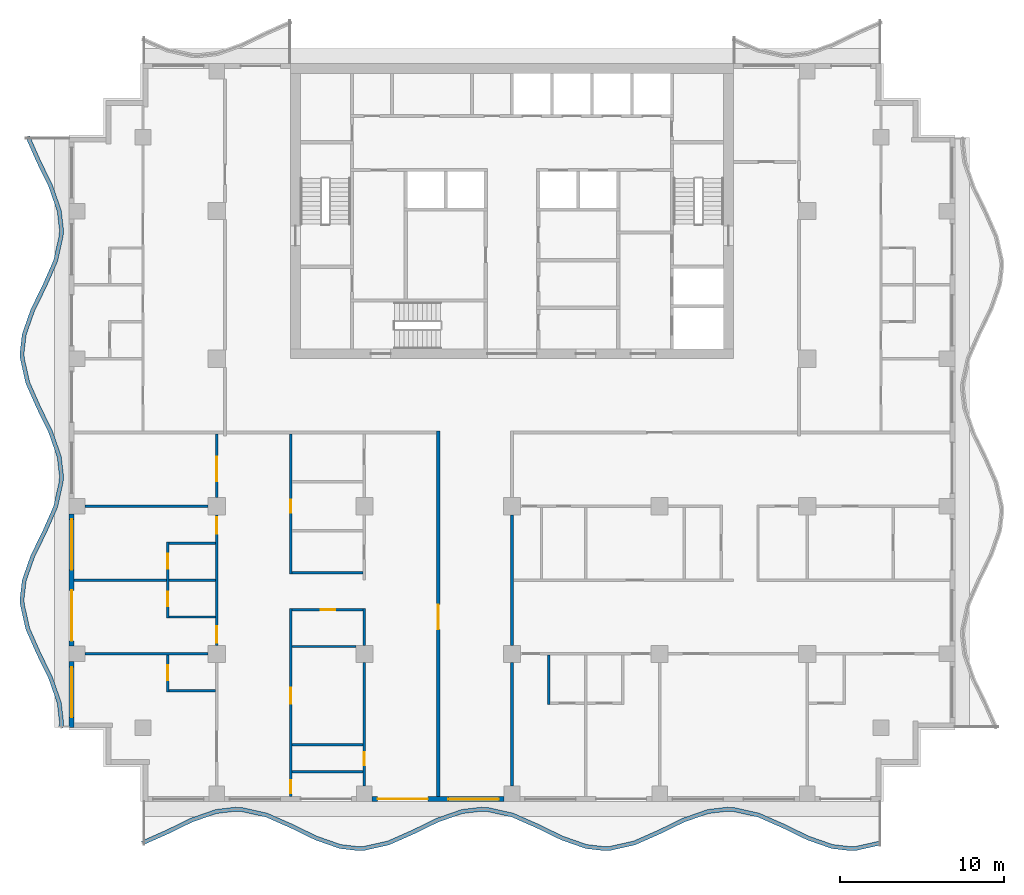
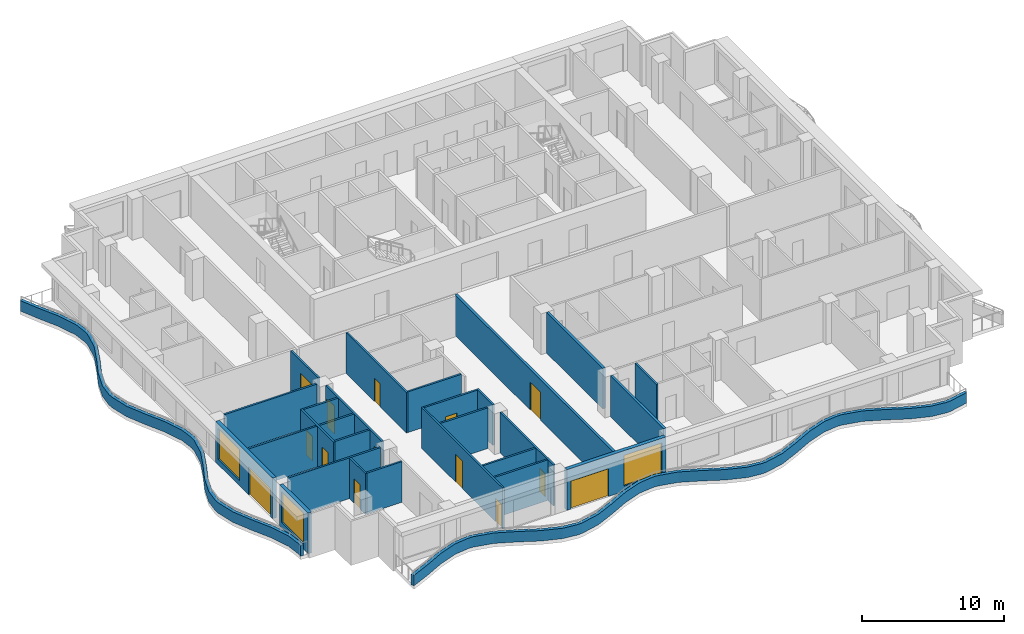
# One storey, part 2 of 11: 29 walls, 14 doors, 3 windows, 17 openings.
"""IFC4 building model written with IfcOpenShell, lengths in metres."""

import ifcopenshell
import ifcopenshell.guid

model = None  # the IFC model being written
_history = None  # IfcOwnerHistory: only IFC2X3 demands one
_inside = {}  # id of a spatial element -> (the spatial element, [elements in it])
_under = {}  # id of a project, library or spatial element -> (it, [spatial elements below it])
_declared = {}  # id of a project -> (the project, [libraries it declares])
_typed = {}  # id of a type object -> (the type object, [elements of that type])
_made_of = {}  # id of a material, layer set ... -> (it, [elements and type objects made of it])


def new_model(schema):
    """Start an empty IFC model of exactly this schema.

    Asked for "IFC4X3", IfcOpenShell would pick the latest addendum, in which some entities
    have other attributes; the version numbers below select the first issue.
    IFC2X3 requires an IfcOwnerHistory on every rooted entity: one is made here for all.
    """
    global model, _history
    if schema == "IFC4X3":
        model = ifcopenshell.file(schema_version=(4, 3, 0, 0))
    else:
        model = ifcopenshell.file(schema=schema)
    _inside.clear()
    _under.clear()
    _declared.clear()
    _typed.clear()
    _made_of.clear()
    _history = None
    if model.schema == "IFC2X3":
        org = make("IfcOrganization", Name="unknown")
        user = make(
            "IfcPersonAndOrganization",
            ThePerson=make("IfcPerson", FamilyName="unknown"),
            TheOrganization=org,
        )
        app = make(
            "IfcApplication",
            ApplicationDeveloper=org,
            Version="unknown",
            ApplicationFullName="unknown",
            ApplicationIdentifier="unknown",
        )
        _history = make(
            "IfcOwnerHistory",
            OwningUser=user,
            OwningApplication=app,
            ChangeAction="ADDED",
            CreationDate=0,
        )
    return model


def make(cls, **values):
    """One entity of the class cls with the attributes given. An attribute that is None is left unset."""
    return model.create_entity(
        cls, **{name: value for name, value in values.items() if value is not None}
    )


def rooted(cls, **values):
    """An entity with a GlobalId (a new one), such as an element, a storey or a relation."""
    return make(cls, GlobalId=ifcopenshell.guid.new(), OwnerHistory=_history, **values)


def si_unit(unit_type, name, prefix=None):
    """IfcSIUnit, for example si_unit("LENGTHUNIT", "METRE", prefix="MILLI")."""
    return make("IfcSIUnit", UnitType=unit_type, Prefix=prefix, Name=name)


def assignment(units):
    """IfcUnitAssignment: the units of a project."""
    return None if units is None else make("IfcUnitAssignment", Units=units)


def point(xyz):
    """IfcCartesianPoint."""
    return None if xyz is None else make("IfcCartesianPoint", Coordinates=xyz)


def direction(xyz):
    """IfcDirection."""
    return None if xyz is None else make("IfcDirection", DirectionRatios=xyz)


def frame(location, z_axis=None, x_axis=None):
    """IfcAxis2Placement3D, a coordinate frame: its origin and axes. An axis left out is left unset."""
    return make(
        "IfcAxis2Placement3D",
        Location=point(location),
        Axis=direction(z_axis),
        RefDirection=direction(x_axis),
    )


def frame_2d(location, x_axis=None):
    """IfcAxis2Placement2D, a coordinate frame in the plane: its origin and x axis."""
    return make(
        "IfcAxis2Placement2D", Location=point(location), RefDirection=direction(x_axis)
    )


def origin():
    """The frame at (0, 0, 0) with its axes left unset."""
    return frame((0.0, 0.0, 0.0))


def place(relative_to, where):
    """IfcLocalPlacement: puts the frame where relative to a parent placement (None: the world)."""
    return make(
        "IfcLocalPlacement", PlacementRelTo=relative_to, RelativePlacement=where
    )


def context(
    kind, dimensions, precision=None, world=None, true_north=None, identifier=None
):
    """IfcGeometricRepresentationContext, for example the 3D "Model" context."""
    return make(
        "IfcGeometricRepresentationContext",
        ContextIdentifier=identifier,
        ContextType=kind,
        CoordinateSpaceDimension=dimensions,
        Precision=precision,
        WorldCoordinateSystem=world,
        TrueNorth=true_north,
    )


def subcontext(parent, identifier, kind, view, scale=None):
    """IfcGeometricRepresentationSubContext, for example "Body" below "Model"."""
    return make(
        "IfcGeometricRepresentationSubContext",
        ContextIdentifier=identifier,
        ContextType=kind,
        ParentContext=parent,
        TargetScale=scale,
        TargetView=view,
    )


def project(units=None, contexts=None):
    """IfcProject with its units and contexts."""
    return rooted(
        "IfcProject",
        Name="project",
        RepresentationContexts=contexts,
        UnitsInContext=assignment(units),
    )


def spatial(cls, under=None, at=None, **own):
    """A site, building, storey or space (cls), placed at a placement, below another one or the project."""
    s = rooted(cls, ObjectPlacement=at, **own)
    if under is not None:
        _under.setdefault(under.id(), (under, []))[1].append(s)
    return s


def polyline(points):
    """IfcPolyline through the points."""
    return make("IfcPolyline", Points=[point(p) for p in points])


def profile(cls, at=None, kind="AREA", **sizes):
    """A parametric profile (cls). Its sizes go by their IFC names, for example OverallWidth=200.0."""
    return make(cls, ProfileType=kind, Position=at, **sizes)


def rectangle(**sizes):
    """IfcRectangleProfileDef."""
    return profile("IfcRectangleProfileDef", **sizes)


def outline(outer, holes=None, kind="AREA"):
    """IfcArbitraryClosedProfileDef: a profile drawn as a closed curve; with holes, ...WithVoids."""
    if holes is None:
        return make("IfcArbitraryClosedProfileDef", ProfileType=kind, OuterCurve=outer)
    return make(
        "IfcArbitraryProfileDefWithVoids",
        ProfileType=kind,
        OuterCurve=outer,
        InnerCurves=holes,
    )


def extrude(swept, where, along, depth):
    """IfcExtrudedAreaSolid: the profile swept, set in the frame where, extruded along a direction by depth."""
    return make(
        "IfcExtrudedAreaSolid",
        SweptArea=swept,
        Position=where,
        ExtrudedDirection=direction(along),
        Depth=depth,
    )


def shape(context_of_items, identifier, shape_type, items):
    """IfcShapeRepresentation: the items that make up one representation, for example the "Body"."""
    return make(
        "IfcShapeRepresentation",
        ContextOfItems=context_of_items,
        RepresentationIdentifier=identifier,
        RepresentationType=shape_type,
        Items=items,
    )


def material(Name=None, Category=None):
    """IfcMaterial."""
    return make("IfcMaterial", Name=Name, Category=Category)


def layer(
    of_material, thickness, ventilated=None, Name=None, Category=None, Priority=None
):
    """IfcMaterialLayer: one layer of a wall or slab, of a material (None: an air gap)."""
    return make(
        "IfcMaterialLayer",
        Material=of_material,
        LayerThickness=thickness,
        IsVentilated=ventilated,
        Name=Name,
        Category=Category,
        Priority=Priority,
    )


def layer_set(layers, Name=None):
    """IfcMaterialLayerSet."""
    return make("IfcMaterialLayerSet", MaterialLayers=layers, LayerSetName=Name)


def made_of(thing, what):
    """Note that an element or type object is made of a material, layer set ...; save() writes the relation."""
    if what is not None:
        _made_of.setdefault(what.id(), (what, []))[1].append(thing)
    return thing


def type_object(cls, material=None, **own):
    """A type object (cls), such as IfcWallType, which elements share."""
    return made_of(rooted(cls, **own), material)


def element(
    cls,
    number,
    at=None,
    inside=None,
    cuts=None,
    type_object=None,
    material=None,
    context=None,
    identifier="Body",
    shape_type=None,
    held_by="IfcProductDefinitionShape",
    body=None,
    shapes=None,
    **own,
):
    """One element of the class cls, such as IfcWall. Its Tag is "e" and its number.

    at: its placement. inside: the storey or other place that contains it. cuts: it is an
    opening in that element (IfcRelVoidsElement). A single representation is given by context,
    identifier, shape_type and body (its items); several are given by shapes. held_by: the class
    of the entity that holds the representations. save() writes the other relations.
    """
    e = rooted(cls, Tag="e%d" % number, ObjectPlacement=at, **own)
    if body is not None:
        shapes = [shape(context, identifier, shape_type, body)]
    if shapes is not None:
        e.Representation = make(held_by, Representations=shapes)
    if inside is not None:
        _inside.setdefault(inside.id(), (inside, []))[1].append(e)
    if cuts is not None:
        rooted(
            "IfcRelVoidsElement", RelatingBuildingElement=cuts, RelatedOpeningElement=e
        )
    if type_object is not None:
        _typed.setdefault(type_object.id(), (type_object, []))[1].append(e)
    return made_of(e, material)


def fill(opening, filler):
    """IfcRelFillsElement: the door or window that sits in an opening."""
    return rooted(
        "IfcRelFillsElement",
        RelatingOpeningElement=opening,
        RelatedBuildingElement=filler,
    )


def aggregate(whole, parts):
    """IfcRelAggregates: a whole, such as a stair, and the parts it consists of."""
    return rooted("IfcRelAggregates", RelatingObject=whole, RelatedObjects=parts)


def save(model, path):
    """Write the relations noted so far, then the file.

    IfcRelAggregates (storeys below a building ...), IfcRelContainedInSpatialStructure (elements
    in a storey), IfcRelDefinesByType, IfcRelAssociatesMaterial and IfcRelDeclares: one each for
    every whole, place, type object, material and project.
    """
    for whole, parts in _under.values():
        aggregate(whole, parts)
    for where, things in _inside.values():
        rooted(
            "IfcRelContainedInSpatialStructure",
            RelatedElements=things,
            RelatingStructure=where,
        )
    for kind, things in _typed.values():
        rooted("IfcRelDefinesByType", RelatedObjects=things, RelatingType=kind)
    for what, things in _made_of.values():
        rooted("IfcRelAssociatesMaterial", RelatedObjects=things, RelatingMaterial=what)
    for by, libraries in _declared.values():
        rooted("IfcRelDeclares", RelatingContext=by, RelatedDefinitions=libraries)
    model.write(path)


model = new_model("IFC4")

# Units and contexts
model_context = context("Model", 3, precision=1e-05, world=origin(), true_north=direction((0.0, 1.0)))
body_context = subcontext(model_context, "Body", "Model", "MODEL_VIEW")
ifc_project = project(units=[si_unit("LENGTHUNIT", "METRE"), si_unit("AREAUNIT", "SQUARE_METRE"), si_unit("VOLUMEUNIT", "CUBIC_METRE"), si_unit("PLANEANGLEUNIT", "RADIAN"), si_unit("MASSUNIT", "GRAM", prefix="KILO")], contexts=[model_context])

# Site, building, storey
site_placement = place(None, origin())
site = spatial("IfcSite", under=ifc_project, at=site_placement, CompositionType="ELEMENT")
building_placement = place(site_placement, origin())
building = spatial("IfcBuilding", under=site, at=building_placement, Name="Orbiselva Terraces", CompositionType="ELEMENT")
storey_placement = place(building_placement, frame((0.0, 0.0, 222.4)))
storey = spatial("IfcBuildingStorey", under=building, at=storey_placement, Name="L56", CompositionType="ELEMENT", Elevation=222.4)

# Walls
ifc_material_1 = material(Name="Concrete C40/50", Category="concrete")
ifc_layer_1 = layer(ifc_material_1, 0.25)
ifc_layer_set_1 = layer_set([ifc_layer_1], Name="Concrete C40/50")
wall_type_1 = type_object("IfcWallType", Name="ENV-PLANTER-250x900", PredefinedType="USERDEFINED", material=ifc_layer_set_1)
wall_1_placement = place(storey_placement, origin())
element("IfcWall", 1, at=wall_1_placement, inside=storey, type_object=wall_type_1, Name="Balcony planter L56 S", ObjectType="PLANTER", PredefinedType="USERDEFINED", context=body_context, shape_type="SweptSolid", body=[
    extrude(outline(polyline([(-22.5, -25.148528), (-21.0, -24.487721), (-19.5, -23.755211), (-18.0, -23.230792), (-16.875, -23.1), (-16.5, -23.114774), (-15.0, -23.451472), (-13.5, -24.112279), (-12.0, -24.844789), (-10.5, -25.369208), (-9.375, -25.5), (-9.0, -25.485226), (-7.5, -25.148528), (-6.0, -24.487721), (-4.5, -23.755211), (-3.0, -23.230792), (-1.875, -23.1), (-1.5, -23.114774), (0.0, -23.451472), (1.5, -24.112279), (3.0, -24.844789), (4.5, -25.369208), (5.625, -25.5), (6.0, -25.485226), (7.5, -25.148528), (9.0, -24.487721), (10.5, -23.755211), (12.0, -23.230792), (13.125, -23.1), (13.5, -23.114774), (15.0, -23.451472), (16.5, -24.112279), (18.0, -24.844789), (19.5, -25.369208), (20.625, -25.5), (21.0, -25.485226), (22.5, -25.148528), (22.445246, -24.904598), (20.967435, -25.236315), (20.634572, -25.249429), (19.556371, -25.124078), (18.09644, -24.613667), (16.605286, -23.885477), (15.078508, -23.212874), (13.532565, -22.865863), (13.115428, -22.849429), (11.943629, -22.985662), (10.40356, -23.524089), (8.894714, -24.260919), (7.421492, -24.90993), (5.967435, -25.236315), (5.634572, -25.249429), (4.556371, -25.124078), (3.09644, -24.613667), (1.605286, -23.885477), (0.078508, -23.212874), (-1.467435, -22.865863), (-1.884572, -22.849429), (-3.056371, -22.985662), (-4.59644, -23.524089), (-6.105286, -24.260919), (-7.578508, -24.90993), (-9.032565, -25.236315), (-9.365428, -25.249429), (-10.443629, -25.124078), (-11.90356, -24.613667), (-13.394714, -23.885477), (-14.921492, -23.212874), (-16.467435, -22.865863), (-16.884572, -22.849429), (-18.056371, -22.985662), (-19.59644, -23.524089), (-21.105286, -24.260919), (-22.600788, -24.919745), (-22.5, -25.148528)])), origin(), (0.0, 0.0, 1.0), 0.9),
])
wall_2_placement = place(storey_placement, origin())
element("IfcWall", 2, at=wall_2_placement, inside=storey, type_object=wall_type_1, Name="Balcony planter L56 W", ObjectType="PLANTER", PredefinedType="USERDEFINED", context=body_context, shape_type="SweptSolid", body=[
    extrude(outline(polyline([(-29.648528, 18.0), (-28.987721, 16.5), (-28.255211, 15.0), (-27.730792, 13.5), (-27.6, 12.375), (-27.614774, 12.0), (-27.951472, 10.5), (-28.612279, 9.0), (-29.344789, 7.5), (-29.869208, 6.0), (-30.0, 4.875), (-29.985226, 4.5), (-29.648528, 3.0), (-28.987721, 1.5), (-28.255211, 0.0), (-27.730792, -1.5), (-27.6, -2.625), (-27.614774, -3.0), (-27.951472, -4.5), (-28.612279, -6.0), (-29.344789, -7.5), (-29.869208, -9.0), (-30.0, -10.125), (-29.985226, -10.5), (-29.648528, -12.0), (-28.987721, -13.5), (-28.255211, -15.0), (-27.730792, -16.5), (-27.6, -17.625), (-27.614774, -18.0), (-27.364968, -18.009842), (-27.349429, -17.615428), (-27.485662, -16.443629), (-28.024089, -14.90356), (-28.760919, -13.394714), (-29.40993, -11.921492), (-29.736315, -10.467435), (-29.749429, -10.134572), (-29.624078, -9.056371), (-29.113667, -7.59644), (-28.385477, -6.105286), (-27.712874, -4.578508), (-27.365863, -3.032565), (-27.349429, -2.615428), (-27.485662, -1.443629), (-28.024089, 0.09644), (-28.760919, 1.605286), (-29.40993, 3.078508), (-29.736315, 4.532565), (-29.749429, 4.865428), (-29.624078, 5.943629), (-29.113667, 7.40356), (-28.385477, 8.894714), (-27.712874, 10.421492), (-27.365863, 11.967435), (-27.349429, 12.384572), (-27.485662, 13.556371), (-28.024089, 15.09644), (-28.760919, 16.605286), (-29.419745, 18.100788), (-29.648528, 18.0)])), origin(), (0.0, 0.0, 1.0), 0.9),
])

# Wall, openings, door, window
ifc_material_2 = material(Name="Terracotta cladding on masonry backing", Category="masonry")
ifc_layer_2 = layer(ifc_material_2, 0.3)
ifc_layer_set_2 = layer_set([ifc_layer_2], Name="Terracotta cladding on masonry backing")
wall_type_2 = type_object("IfcWallType", Name="ENV-WALL-TERRACOTTA-300", PredefinedType="SOLIDWALL", material=ifc_layer_set_2)
wall_3_placement = place(storey_placement, frame((-0.475, -22.35, 0.0), z_axis=(0.0, 0.0, 1.0), x_axis=(-1.0, 0.0, 0.0)))
wall_3 = element("IfcWall", 3, at=wall_3_placement, inside=storey, type_object=wall_type_2, Name="Facade wall L56 S", PredefinedType="SOLIDWALL", context=body_context, shape_type="SweptSolid", body=[
    extrude(rectangle(XDim=8.05, YDim=0.3, at=frame_2d((4.025, 0.0))), origin(), (0.0, 0.0, 1.0), 3.5),
])
opening_1_placement = place(wall_3_placement, frame((4.65, 0.0, 0.0)))
opening_1 = element("IfcOpeningElement", 4, at=opening_1_placement, cuts=wall_3, Name="Opening Z4-D-E02", PredefinedType="OPENING", context=body_context, shape_type="SweptSolid", body=[
    extrude(rectangle(XDim=3.075, YDim=2.4, at=frame_2d((1.5375, 1.2))), frame((0.0, 0.16, 0.0), z_axis=(0.0, -1.0, 0.0), x_axis=(1.0, 0.0, 0.0)), (0.0, 0.0, 1.0), 0.32),
])
opening_2_placement = place(wall_3_placement, frame((0.325, 0.0, 0.45)))
opening_2 = element("IfcOpeningElement", 5, at=opening_2_placement, cuts=wall_3, Name="Opening WN15", PredefinedType="OPENING", context=body_context, shape_type="SweptSolid", body=[
    extrude(rectangle(XDim=3.075, YDim=2.65, at=frame_2d((1.5375, 1.325))), frame((0.0, 0.16, 0.0), z_axis=(0.0, -1.0, 0.0), x_axis=(1.0, 0.0, 0.0)), (0.0, 0.0, 1.0), 0.32),
])
ifc_material_3 = material(Name="Clear low-e glazing in aluminium frame", Category="aluminium")
door_type_1 = type_object("IfcDoorType", Name="BALCONY DOOR 3075 X 2400", OperationType="DOUBLE_DOOR_SLIDING", PredefinedType="DOOR", material=ifc_material_3)
door_1_placement = place(opening_1_placement, origin())
door_1 = element("IfcDoor", 6, at=door_1_placement, inside=storey, type_object=door_type_1, Name="Z4-D-E02", OperationType="SINGLE_SWING_LEFT", OverallHeight=2.4, OverallWidth=3.075, PredefinedType="DOOR", context=body_context, shape_type="SweptSolid", body=[
    extrude(rectangle(XDim=3.075, YDim=2.4, at=frame_2d((1.5375, 1.2))), frame((0.0, 0.025, 0.0), z_axis=(0.0, -1.0, 0.0), x_axis=(1.0, 0.0, 0.0)), (0.0, 0.0, 1.0), 0.05),
])
fill(opening_1, door_1)
window_type = type_object("IfcWindowType", Name="WINDOW 3075 X 2650 S450", PartitioningType="TRIPLE_PANEL_VERTICAL", PredefinedType="WINDOW", material=ifc_material_3)
window_1_placement = place(opening_2_placement, origin())
window_1 = element("IfcWindow", 7, at=window_1_placement, inside=storey, type_object=window_type, Name="Window L56 S", OverallHeight=2.65, OverallWidth=3.075, PartitioningType="SINGLE_PANEL", PredefinedType="WINDOW", context=body_context, shape_type="SweptSolid", body=[
    extrude(rectangle(XDim=3.075, YDim=2.65, at=frame_2d((1.5375, 1.325))), frame((0.0, 0.03, 0.0), z_axis=(0.0, -1.0, 0.0), x_axis=(1.0, 0.0, 0.0)), (0.0, 0.0, 1.0), 0.06),
])
fill(opening_2, window_1)

wall_4_placement = place(storey_placement, frame((-26.85, -13.025, 0.0), z_axis=(0.0, 0.0, 1.0), x_axis=(0.0, 1.0, 0.0)))
wall_4 = element("IfcWall", 8, at=wall_4_placement, inside=storey, type_object=wall_type_2, Name="Facade wall L56 W", PredefinedType="SOLIDWALL", context=body_context, shape_type="SweptSolid", body=[
    extrude(rectangle(XDim=8.05, YDim=0.3, at=frame_2d((4.025, 0.0))), origin(), (0.0, 0.0, 1.0), 3.5),
])
opening_3_placement = place(wall_4_placement, frame((4.65, 0.0, 0.45)))
opening_3 = element("IfcOpeningElement", 9, at=opening_3_placement, cuts=wall_4, Name="Opening WN15", PredefinedType="OPENING", context=body_context, shape_type="SweptSolid", body=[
    extrude(rectangle(XDim=3.075, YDim=2.65, at=frame_2d((1.5375, 1.325))), frame((0.0, 0.16, 0.0), z_axis=(0.0, -1.0, 0.0), x_axis=(1.0, 0.0, 0.0)), (0.0, 0.0, 1.0), 0.32),
])
opening_4_placement = place(wall_4_placement, frame((0.325, 0.0, 0.0)))
opening_4 = element("IfcOpeningElement", 10, at=opening_4_placement, cuts=wall_4, Name="Opening Z4-D-E12", PredefinedType="OPENING", context=body_context, shape_type="SweptSolid", body=[
    extrude(rectangle(XDim=3.075, YDim=2.4, at=frame_2d((1.5375, 1.2))), frame((0.0, 0.16, 0.0), z_axis=(0.0, -1.0, 0.0), x_axis=(1.0, 0.0, 0.0)), (0.0, 0.0, 1.0), 0.32),
])
door_2_placement = place(opening_4_placement, origin())
door_2 = element("IfcDoor", 11, at=door_2_placement, inside=storey, type_object=door_type_1, Name="Z4-D-E12", OperationType="SINGLE_SWING_LEFT", OverallHeight=2.4, OverallWidth=3.075, PredefinedType="DOOR", context=body_context, shape_type="SweptSolid", body=[
    extrude(rectangle(XDim=3.075, YDim=2.4, at=frame_2d((1.5375, 1.2))), frame((0.0, 0.025, 0.0), z_axis=(0.0, -1.0, 0.0), x_axis=(1.0, 0.0, 0.0)), (0.0, 0.0, 1.0), 0.05),
])
fill(opening_4, door_2)
window_2_placement = place(opening_3_placement, origin())
window_2 = element("IfcWindow", 12, at=window_2_placement, inside=storey, type_object=window_type, Name="Window L56 W", OverallHeight=2.65, OverallWidth=3.075, PartitioningType="SINGLE_PANEL", PredefinedType="WINDOW", context=body_context, shape_type="SweptSolid", body=[
    extrude(rectangle(XDim=3.075, YDim=2.65, at=frame_2d((1.5375, 1.325))), frame((0.0, 0.03, 0.0), z_axis=(0.0, -1.0, 0.0), x_axis=(1.0, 0.0, 0.0)), (0.0, 0.0, 1.0), 0.06),
])
fill(opening_3, window_2)

# Wall, opening, window
wall_5_placement = place(storey_placement, frame((-26.85, -18.0, 0.0), z_axis=(0.0, 0.0, 1.0), x_axis=(0.0, 1.0, 0.0)))
wall_5 = element("IfcWall", 13, at=wall_5_placement, inside=storey, type_object=wall_type_2, Name="Facade wall L56 W", PredefinedType="SOLIDWALL", context=body_context, shape_type="SweptSolid", body=[
    extrude(rectangle(XDim=4.025, YDim=0.3, at=frame_2d((2.0125, 0.0))), origin(), (0.0, 0.0, 1.0), 3.5),
])
opening_5_placement = place(wall_5_placement, frame((0.625, 0.0, 0.45)))
opening_5 = element("IfcOpeningElement", 14, at=opening_5_placement, cuts=wall_5, Name="Opening WN15", PredefinedType="OPENING", context=body_context, shape_type="SweptSolid", body=[
    extrude(rectangle(XDim=3.075, YDim=2.65, at=frame_2d((1.5375, 1.325))), frame((0.0, 0.16, 0.0), z_axis=(0.0, -1.0, 0.0), x_axis=(1.0, 0.0, 0.0)), (0.0, 0.0, 1.0), 0.32),
])
window_3_placement = place(opening_5_placement, origin())
window_3 = element("IfcWindow", 15, at=window_3_placement, inside=storey, type_object=window_type, Name="Window L56 W", OverallHeight=2.65, OverallWidth=3.075, PartitioningType="SINGLE_PANEL", PredefinedType="WINDOW", context=body_context, shape_type="SweptSolid", body=[
    extrude(rectangle(XDim=3.075, YDim=2.65, at=frame_2d((1.5375, 1.325))), frame((0.0, 0.03, 0.0), z_axis=(0.0, -1.0, 0.0), x_axis=(1.0, 0.0, 0.0)), (0.0, 0.0, 1.0), 0.06),
])
fill(opening_5, window_3)

# Wall, opening, door
ifc_material_4 = material(Name="Plasterboard on steel stud partition", Category="steel")
ifc_layer_3 = layer(ifc_material_4, 0.2)
ifc_layer_set_3 = layer_set([ifc_layer_3], Name="Plasterboard on steel stud partition")
wall_type_3 = type_object("IfcWallType", Name="UNIT-ENTRANCE-WALL-200", PredefinedType="PARTITIONING", material=ifc_layer_set_3)
wall_6_placement = place(storey_placement, frame((-4.5, -22.2, 0.0), z_axis=(0.0, 0.0, 1.0), x_axis=(0.0, 1.0, 0.0)))
wall_6 = element("IfcWall", 16, at=wall_6_placement, inside=storey, type_object=wall_type_3, Name="PARTITION L56-059", PredefinedType="PARTITIONING", context=body_context, shape_type="SweptSolid", body=[
    extrude(rectangle(XDim=22.3, YDim=0.2, at=frame_2d((11.15, 0.0))), origin(), (0.0, 0.0, 1.0), 3.5),
])
opening_6_placement = place(wall_6_placement, frame((10.2, 0.0, 0.0)))
opening_6 = element("IfcOpeningElement", 17, at=opening_6_placement, cuts=wall_6, Name="Opening Z4-D-14", PredefinedType="OPENING", context=body_context, shape_type="SweptSolid", body=[
    extrude(rectangle(XDim=1.5, YDim=2.4, at=frame_2d((0.75, 1.2))), frame((0.0, 0.11, 0.0), z_axis=(0.0, -1.0, 0.0), x_axis=(1.0, 0.0, 0.0)), (0.0, 0.0, 1.0), 0.22),
])
ifc_material_5 = material(Name="Painted timber door leaf", Category="wood")
door_type_2 = type_object("IfcDoorType", Name="ENTRANCE DOUBLE DOOR 1500", OperationType="NOTDEFINED", PredefinedType="DOOR", material=ifc_material_5)
door_3_placement = place(opening_6_placement, origin())
door_3 = element("IfcDoor", 18, at=door_3_placement, inside=storey, type_object=door_type_2, Name="Z4-D-14", OperationType="DOUBLE_DOOR_SINGLE_SWING", OverallHeight=2.4, OverallWidth=1.5, PredefinedType="DOOR", context=body_context, shape_type="SweptSolid", body=[
    extrude(rectangle(XDim=1.5, YDim=2.4, at=frame_2d((0.75, 1.2))), frame((0.0, 0.025, 0.0), z_axis=(0.0, -1.0, 0.0), x_axis=(1.0, 0.0, 0.0)), (0.0, 0.0, 1.0), 0.05),
])
fill(opening_6, door_3)

# Walls
wall_7_placement = place(storey_placement, frame((0.0, -21.55, 0.0), z_axis=(0.0, 0.0, 1.0), x_axis=(0.0, 1.0, 0.0)))
element("IfcWall", 19, at=wall_7_placement, inside=storey, type_object=wall_type_3, Name="PARTITION L56-060", PredefinedType="PARTITIONING", context=body_context, shape_type="SweptSolid", body=[
    extrude(rectangle(XDim=7.525, YDim=0.2, at=frame_2d((3.7625, 0.0))), origin(), (0.0, 0.0, 1.0), 3.5),
])
wall_8_placement = place(storey_placement, frame((0.0, -12.975, 0.0), z_axis=(0.0, 0.0, 1.0), x_axis=(0.0, 1.0, 0.0)))
element("IfcWall", 20, at=wall_8_placement, inside=storey, type_object=wall_type_3, Name="PARTITION L56-061", PredefinedType="PARTITIONING", context=body_context, shape_type="SweptSolid", body=[
    extrude(rectangle(XDim=7.95, YDim=0.2, at=frame_2d((3.975, 0.0))), origin(), (0.0, 0.0, 1.0), 3.5),
])
ifc_layer_4 = layer(ifc_material_4, 0.15)
ifc_layer_set_4 = layer_set([ifc_layer_4], Name="Plasterboard on steel stud partition")
wall_type_4 = type_object("IfcWallType", Name="UNIT-PARTITION-150", PredefinedType="PARTITIONING", material=ifc_layer_set_4)
for number, where, z_axis, x_axis, name in (
    (21, (-13.425, -20.7, 0.0), (0.0, 0.0, 1.0), (1.0, 0.0, 0.0), "PARTITION L56-001"),
    (22, (-13.425, -19.05, 0.0), (0.0, 0.0, 1.0), (1.0, 0.0, 0.0), "PARTITION L56-002"),
):
    element("IfcWall", number, at=place(storey_placement, frame(where, z_axis=z_axis, x_axis=x_axis)), inside=storey, type_object=wall_type_4, Name=name, PredefinedType="PARTITIONING", context=body_context, shape_type="SweptSolid", body=[
        extrude(rectangle(XDim=4.35, YDim=0.15, at=frame_2d((2.175, 0.0))), origin(), (0.0, 0.0, 1.0), 3.5),
    ])
wall_9_placement = place(storey_placement, frame((-20.925, -15.75, 0.0), z_axis=(0.0, 0.0, 1.0), x_axis=(1.0, 0.0, 0.0)))
element("IfcWall", 23, at=wall_9_placement, inside=storey, type_object=wall_type_4, Name="PARTITION L56-006", PredefinedType="PARTITIONING", context=body_context, shape_type="SweptSolid", body=[
    extrude(rectangle(XDim=2.85, YDim=0.15, at=frame_2d((1.425, 0.0))), origin(), (0.0, 0.0, 1.0), 3.5),
])
wall_10_placement = place(storey_placement, frame((-26.05, -13.5, 0.0), z_axis=(0.0, 0.0, 1.0), x_axis=(1.0, 0.0, 0.0)))
element("IfcWall", 24, at=wall_10_placement, inside=storey, type_object=wall_type_4, Name="PARTITION L56-007", PredefinedType="PARTITIONING", context=body_context, shape_type="SweptSolid", body=[
    extrude(rectangle(XDim=7.525, YDim=0.15, at=frame_2d((3.7625, 0.0))), origin(), (0.0, 0.0, 1.0), 3.5),
])
wall_11_placement = place(storey_placement, frame((-13.425, -13.05, 0.0), z_axis=(0.0, 0.0, 1.0), x_axis=(1.0, 0.0, 0.0)))
element("IfcWall", 25, at=wall_11_placement, inside=storey, type_object=wall_type_4, Name="PARTITION L56-011", PredefinedType="PARTITIONING", context=body_context, shape_type="SweptSolid", body=[
    extrude(rectangle(XDim=3.9, YDim=0.15, at=frame_2d((1.95, 0.0))), origin(), (0.0, 0.0, 1.0), 3.5),
])
wall_12_placement = place(storey_placement, frame((-20.925, -11.25, 0.0), z_axis=(0.0, 0.0, 1.0), x_axis=(1.0, 0.0, 0.0)))
element("IfcWall", 26, at=wall_12_placement, inside=storey, type_object=wall_type_4, Name="PARTITION L56-012", PredefinedType="PARTITIONING", context=body_context, shape_type="SweptSolid", body=[
    extrude(rectangle(XDim=2.85, YDim=0.15, at=frame_2d((1.425, 0.0))), origin(), (0.0, 0.0, 1.0), 3.5),
])

# Wall, opening, door
wall_13_placement = place(storey_placement, frame((-9.075, -10.8, 0.0), z_axis=(0.0, 0.0, 1.0), x_axis=(-1.0, 0.0, 0.0)))
wall_13 = element("IfcWall", 27, at=wall_13_placement, inside=storey, type_object=wall_type_4, Name="PARTITION L56-013", PredefinedType="PARTITIONING", context=body_context, shape_type="SweptSolid", body=[
    extrude(rectangle(XDim=4.35, YDim=0.15, at=frame_2d((2.175, 0.0))), origin(), (0.0, 0.0, 1.0), 3.5),
])
opening_7_placement = place(wall_13_placement, frame((1.7, 0.0, 0.0)))
opening_7 = element("IfcOpeningElement", 28, at=opening_7_placement, cuts=wall_13, Name="Opening Z4-D-18", PredefinedType="OPENING", context=body_context, shape_type="SweptSolid", body=[
    extrude(rectangle(XDim=0.9, YDim=2.1, at=frame_2d((0.45, 1.05))), frame((0.0, 0.085, 0.0), z_axis=(0.0, -1.0, 0.0), x_axis=(1.0, 0.0, 0.0)), (0.0, 0.0, 1.0), 0.17),
])
door_type_3 = type_object("IfcDoorType", Name="BATH DOOR 900", OperationType="NOTDEFINED", PredefinedType="DOOR", material=ifc_material_5)
door_4_placement = place(opening_7_placement, origin())
door_4 = element("IfcDoor", 29, at=door_4_placement, inside=storey, type_object=door_type_3, Name="Z4-D-18", OperationType="SINGLE_SWING_LEFT", OverallHeight=2.1, OverallWidth=0.9, PredefinedType="DOOR", context=body_context, shape_type="SweptSolid", body=[
    extrude(rectangle(XDim=0.9, YDim=2.1, at=frame_2d((0.45, 1.05))), frame((0.0, 0.025, 0.0), z_axis=(0.0, -1.0, 0.0), x_axis=(1.0, 0.0, 0.0)), (0.0, 0.0, 1.0), 0.05),
])
fill(opening_7, door_4)

# Walls
wall_14_placement = place(storey_placement, frame((-26.7, -9.0, 0.0), z_axis=(0.0, 0.0, 1.0), x_axis=(1.0, 0.0, 0.0)))
element("IfcWall", 30, at=wall_14_placement, inside=storey, type_object=wall_type_4, Name="PARTITION L56-014", PredefinedType="PARTITIONING", context=body_context, shape_type="SweptSolid", body=[
    extrude(rectangle(XDim=5.625, YDim=0.15, at=frame_2d((2.8125, 0.0))), origin(), (0.0, 0.0, 1.0), 3.5),
])
wall_15_placement = place(storey_placement, frame((-20.925, -9.0, 0.0), z_axis=(0.0, 0.0, 1.0), x_axis=(1.0, 0.0, 0.0)))
element("IfcWall", 31, at=wall_15_placement, inside=storey, type_object=wall_type_4, Name="PARTITION L56-015", PredefinedType="PARTITIONING", context=body_context, shape_type="SweptSolid", body=[
    extrude(rectangle(XDim=2.85, YDim=0.15, at=frame_2d((1.425, 0.0))), origin(), (0.0, 0.0, 1.0), 3.5),
])
wall_16_placement = place(storey_placement, frame((-13.425, -8.55, 0.0), z_axis=(0.0, 0.0, 1.0), x_axis=(1.0, 0.0, 0.0)))
element("IfcWall", 32, at=wall_16_placement, inside=storey, type_object=wall_type_4, Name="PARTITION L56-018", PredefinedType="PARTITIONING", context=body_context, shape_type="SweptSolid", body=[
    extrude(rectangle(XDim=4.35, YDim=0.15, at=frame_2d((2.175, 0.0))), origin(), (0.0, 0.0, 1.0), 3.5),
])
wall_17_placement = place(storey_placement, frame((-20.925, -6.75, 0.0), z_axis=(0.0, 0.0, 1.0), x_axis=(1.0, 0.0, 0.0)))
element("IfcWall", 33, at=wall_17_placement, inside=storey, type_object=wall_type_4, Name="PARTITION L56-019", PredefinedType="PARTITIONING", context=body_context, shape_type="SweptSolid", body=[
    extrude(rectangle(XDim=2.85, YDim=0.15, at=frame_2d((1.425, 0.0))), origin(), (0.0, 0.0, 1.0), 3.5),
])
wall_18_placement = place(storey_placement, frame((-26.05, -4.5, 0.0), z_axis=(0.0, 0.0, 1.0), x_axis=(1.0, 0.0, 0.0)))
element("IfcWall", 34, at=wall_18_placement, inside=storey, type_object=wall_type_4, Name="PARTITION L56-021", PredefinedType="PARTITIONING", context=body_context, shape_type="SweptSolid", body=[
    extrude(rectangle(XDim=7.525, YDim=0.15, at=frame_2d((3.7625, 0.0))), origin(), (0.0, 0.0, 1.0), 3.5),
])

# Wall, opening, door
wall_19_placement = place(storey_placement, frame((-21.0, -13.575, 0.0), z_axis=(0.0, 0.0, 1.0), x_axis=(0.0, -1.0, 0.0)))
wall_19 = element("IfcWall", 35, at=wall_19_placement, inside=storey, type_object=wall_type_4, Name="PARTITION L56-045", PredefinedType="PARTITIONING", context=body_context, shape_type="SweptSolid", body=[
    extrude(rectangle(XDim=2.25, YDim=0.15, at=frame_2d((1.125, 0.0))), origin(), (0.0, 0.0, 1.0), 3.5),
])
opening_8_placement = place(wall_19_placement, frame((0.625, 0.0, 0.0)))
opening_8 = element("IfcOpeningElement", 36, at=opening_8_placement, cuts=wall_19, Name="Opening Z4-D-23", PredefinedType="OPENING", context=body_context, shape_type="SweptSolid", body=[
    extrude(rectangle(XDim=0.9, YDim=2.1, at=frame_2d((0.45, 1.05))), frame((0.0, 0.085, 0.0), z_axis=(0.0, -1.0, 0.0), x_axis=(1.0, 0.0, 0.0)), (0.0, 0.0, 1.0), 0.17),
])
door_5_placement = place(opening_8_placement, origin())
door_5 = element("IfcDoor", 37, at=door_5_placement, inside=storey, type_object=door_type_3, Name="Z4-D-23", OperationType="SINGLE_SWING_LEFT", OverallHeight=2.1, OverallWidth=0.9, PredefinedType="DOOR", context=body_context, shape_type="SweptSolid", body=[
    extrude(rectangle(XDim=0.9, YDim=2.1, at=frame_2d((0.45, 1.05))), frame((0.0, 0.025, 0.0), z_axis=(0.0, -1.0, 0.0), x_axis=(1.0, 0.0, 0.0)), (0.0, 0.0, 1.0), 0.05),
])
fill(opening_8, door_5)

# Wall, openings, doors
wall_20_placement = place(storey_placement, frame((-21.0, -6.675, 0.0), z_axis=(0.0, 0.0, 1.0), x_axis=(0.0, -1.0, 0.0)))
wall_20 = element("IfcWall", 38, at=wall_20_placement, inside=storey, type_object=wall_type_4, Name="PARTITION L56-046", PredefinedType="PARTITIONING", context=body_context, shape_type="SweptSolid", body=[
    extrude(rectangle(XDim=4.65, YDim=0.15, at=frame_2d((2.325, 0.0))), origin(), (0.0, 0.0, 1.0), 3.5),
])
opening_9_placement = place(wall_20_placement, frame((3.025, 0.0, 0.0)))
opening_9 = element("IfcOpeningElement", 39, at=opening_9_placement, cuts=wall_20, Name="Opening Z4-D-25", PredefinedType="OPENING", context=body_context, shape_type="SweptSolid", body=[
    extrude(rectangle(XDim=0.9, YDim=2.1, at=frame_2d((0.45, 1.05))), frame((0.0, 0.085, 0.0), z_axis=(0.0, -1.0, 0.0), x_axis=(1.0, 0.0, 0.0)), (0.0, 0.0, 1.0), 0.17),
])
opening_10_placement = place(wall_20_placement, frame((0.725, 0.0, 0.0)))
opening_10 = element("IfcOpeningElement", 40, at=opening_10_placement, cuts=wall_20, Name="Opening Z4-D-27", PredefinedType="OPENING", context=body_context, shape_type="SweptSolid", body=[
    extrude(rectangle(XDim=0.9, YDim=2.1, at=frame_2d((0.45, 1.05))), frame((0.0, 0.085, 0.0), z_axis=(0.0, -1.0, 0.0), x_axis=(1.0, 0.0, 0.0)), (0.0, 0.0, 1.0), 0.17),
])
door_6_placement = place(opening_9_placement, origin())
door_6 = element("IfcDoor", 41, at=door_6_placement, inside=storey, type_object=door_type_3, Name="Z4-D-25", OperationType="SINGLE_SWING_RIGHT", OverallHeight=2.1, OverallWidth=0.9, PredefinedType="DOOR", context=body_context, shape_type="SweptSolid", body=[
    extrude(rectangle(XDim=0.9, YDim=2.1, at=frame_2d((0.45, 1.05))), frame((0.0, 0.025, 0.0), z_axis=(0.0, -1.0, 0.0), x_axis=(1.0, 0.0, 0.0)), (0.0, 0.0, 1.0), 0.05),
])
fill(opening_9, door_6)
door_7_placement = place(opening_10_placement, origin())
door_7 = element("IfcDoor", 42, at=door_7_placement, inside=storey, type_object=door_type_3, Name="Z4-D-27", OperationType="SINGLE_SWING_LEFT", OverallHeight=2.1, OverallWidth=0.9, PredefinedType="DOOR", context=body_context, shape_type="SweptSolid", body=[
    extrude(rectangle(XDim=0.9, YDim=2.1, at=frame_2d((0.45, 1.05))), frame((0.0, 0.025, 0.0), z_axis=(0.0, -1.0, 0.0), x_axis=(1.0, 0.0, 0.0)), (0.0, 0.0, 1.0), 0.05),
])
fill(opening_10, door_7)

wall_21_placement = place(storey_placement, frame((-18.0, -12.975, 0.0), z_axis=(0.0, 0.0, 1.0), x_axis=(0.0, 1.0, 0.0)))
wall_21 = element("IfcWall", 43, at=wall_21_placement, inside=storey, type_object=wall_type_4, Name="PARTITION L56-048", PredefinedType="PARTITIONING", context=body_context, shape_type="SweptSolid", body=[
    extrude(rectangle(XDim=7.95, YDim=0.15, at=frame_2d((3.975, 0.0))), origin(), (0.0, 0.0, 1.0), 3.5),
])
opening_11_placement = place(wall_21_placement, frame((0.15, 0.0, 0.0)))
opening_11 = element("IfcOpeningElement", 44, at=opening_11_placement, cuts=wall_21, Name="Opening Z4-D-24", PredefinedType="OPENING", context=body_context, shape_type="SweptSolid", body=[
    extrude(rectangle(XDim=1.0, YDim=2.4, at=frame_2d((0.5, 1.2))), frame((0.0, 0.085, 0.0), z_axis=(0.0, -1.0, 0.0), x_axis=(1.0, 0.0, 0.0)), (0.0, 0.0, 1.0), 0.17),
])
opening_12_placement = place(wall_21_placement, frame((6.8, 0.0, 0.0)))
opening_12 = element("IfcOpeningElement", 45, at=opening_12_placement, cuts=wall_21, Name="Opening Z4-D-26", PredefinedType="OPENING", context=body_context, shape_type="SweptSolid", body=[
    extrude(rectangle(XDim=1.0, YDim=2.4, at=frame_2d((0.5, 1.2))), frame((0.0, 0.085, 0.0), z_axis=(0.0, -1.0, 0.0), x_axis=(1.0, 0.0, 0.0)), (0.0, 0.0, 1.0), 0.17),
])
door_type_4 = type_object("IfcDoorType", Name="ROOM DOOR 1000", OperationType="NOTDEFINED", PredefinedType="DOOR", material=ifc_material_5)
door_8_placement = place(opening_11_placement, origin())
door_8 = element("IfcDoor", 46, at=door_8_placement, inside=storey, type_object=door_type_4, Name="Z4-D-24", OperationType="SINGLE_SWING_LEFT", OverallHeight=2.4, OverallWidth=1.0, PredefinedType="DOOR", context=body_context, shape_type="SweptSolid", body=[
    extrude(rectangle(XDim=1.0, YDim=2.4, at=frame_2d((0.5, 1.2))), frame((0.0, 0.025, 0.0), z_axis=(0.0, -1.0, 0.0), x_axis=(1.0, 0.0, 0.0)), (0.0, 0.0, 1.0), 0.05),
])
fill(opening_11, door_8)
door_9_placement = place(opening_12_placement, origin())
door_9 = element("IfcDoor", 47, at=door_9_placement, inside=storey, type_object=door_type_4, Name="Z4-D-26", OperationType="SINGLE_SWING_RIGHT", OverallHeight=2.4, OverallWidth=1.0, PredefinedType="DOOR", context=body_context, shape_type="SweptSolid", body=[
    extrude(rectangle(XDim=1.0, YDim=2.4, at=frame_2d((0.5, 1.2))), frame((0.0, 0.025, 0.0), z_axis=(0.0, -1.0, 0.0), x_axis=(1.0, 0.0, 0.0)), (0.0, 0.0, 1.0), 0.05),
])
fill(opening_12, door_9)

# Wall, opening, door
wall_22_placement = place(storey_placement, frame((-18.0, -3.975, 0.0), z_axis=(0.0, 0.0, 1.0), x_axis=(0.0, 1.0, 0.0)))
wall_22 = element("IfcWall", 48, at=wall_22_placement, inside=storey, type_object=wall_type_4, Name="PARTITION L56-049", PredefinedType="PARTITIONING", context=body_context, shape_type="SweptSolid", body=[
    extrude(rectangle(XDim=3.875, YDim=0.15, at=frame_2d((1.9375, 0.0))), origin(), (0.0, 0.0, 1.0), 3.5),
])
opening_13_placement = place(wall_22_placement, frame((1.0, 0.0, 0.0)))
opening_13 = element("IfcOpeningElement", 49, at=opening_13_placement, cuts=wall_22, Name="Opening Z4-D-28", PredefinedType="OPENING", context=body_context, shape_type="SweptSolid", body=[
    extrude(rectangle(XDim=1.5, YDim=2.4, at=frame_2d((0.75, 1.2))), frame((0.0, 0.085, 0.0), z_axis=(0.0, -1.0, 0.0), x_axis=(1.0, 0.0, 0.0)), (0.0, 0.0, 1.0), 0.17),
])
door_type_5 = type_object("IfcDoorType", Name="DOUBLE DOOR 1500", OperationType="NOTDEFINED", PredefinedType="DOOR", material=ifc_material_5)
door_10_placement = place(opening_13_placement, origin())
door_10 = element("IfcDoor", 50, at=door_10_placement, inside=storey, type_object=door_type_5, Name="Z4-D-28", OperationType="DOUBLE_DOOR_SINGLE_SWING", OverallHeight=2.4, OverallWidth=1.5, PredefinedType="DOOR", context=body_context, shape_type="SweptSolid", body=[
    extrude(rectangle(XDim=1.5, YDim=2.4, at=frame_2d((0.75, 1.2))), frame((0.0, 0.025, 0.0), z_axis=(0.0, -1.0, 0.0), x_axis=(1.0, 0.0, 0.0)), (0.0, 0.0, 1.0), 0.05),
])
fill(opening_13, door_10)

# Wall, openings, doors
wall_23_placement = place(storey_placement, frame((-13.5, -10.725, 0.0), z_axis=(0.0, 0.0, 1.0), x_axis=(0.0, -1.0, 0.0)))
wall_23 = element("IfcWall", 51, at=wall_23_placement, inside=storey, type_object=wall_type_4, Name="PARTITION L56-053", PredefinedType="PARTITIONING", context=body_context, shape_type="SweptSolid", body=[
    extrude(rectangle(XDim=11.475, YDim=0.15, at=frame_2d((5.7375, 0.0))), origin(), (0.0, 0.0, 1.0), 3.5),
])
opening_14_placement = place(wall_23_placement, frame((10.475, 0.0, 0.0)))
opening_14 = element("IfcOpeningElement", 52, at=opening_14_placement, cuts=wall_23, Name="Opening Z4-D-15", PredefinedType="OPENING", context=body_context, shape_type="SweptSolid", body=[
    extrude(rectangle(XDim=0.8, YDim=2.0, at=frame_2d((0.4, 1.0))), frame((0.0, 0.085, 0.0), z_axis=(0.0, -1.0, 0.0), x_axis=(1.0, 0.0, 0.0)), (0.0, 0.0, 1.0), 0.17),
])
opening_15_placement = place(wall_23_placement, frame((4.825, 0.0, 0.0)))
opening_15 = element("IfcOpeningElement", 53, at=opening_15_placement, cuts=wall_23, Name="Opening Z4-D-17", PredefinedType="OPENING", context=body_context, shape_type="SweptSolid", body=[
    extrude(rectangle(XDim=1.0, YDim=2.4, at=frame_2d((0.5, 1.2))), frame((0.0, 0.085, 0.0), z_axis=(0.0, -1.0, 0.0), x_axis=(1.0, 0.0, 0.0)), (0.0, 0.0, 1.0), 0.17),
])
door_11_placement = place(opening_15_placement, origin())
door_11 = element("IfcDoor", 54, at=door_11_placement, inside=storey, type_object=door_type_4, Name="Z4-D-17", OperationType="SINGLE_SWING_LEFT", OverallHeight=2.4, OverallWidth=1.0, PredefinedType="DOOR", context=body_context, shape_type="SweptSolid", body=[
    extrude(rectangle(XDim=1.0, YDim=2.4, at=frame_2d((0.5, 1.2))), frame((0.0, 0.025, 0.0), z_axis=(0.0, -1.0, 0.0), x_axis=(1.0, 0.0, 0.0)), (0.0, 0.0, 1.0), 0.05),
])
fill(opening_15, door_11)
door_type_6 = type_object("IfcDoorType", Name="STORE DOOR 800", OperationType="NOTDEFINED", PredefinedType="DOOR", material=ifc_material_5)
door_12_placement = place(opening_14_placement, origin())
door_12 = element("IfcDoor", 55, at=door_12_placement, inside=storey, type_object=door_type_6, Name="Z4-D-15", OperationType="SINGLE_SWING_RIGHT", OverallHeight=2.0, OverallWidth=0.8, PredefinedType="DOOR", context=body_context, shape_type="SweptSolid", body=[
    extrude(rectangle(XDim=0.8, YDim=2.0, at=frame_2d((0.4, 1.0))), frame((0.0, 0.025, 0.0), z_axis=(0.0, -1.0, 0.0), x_axis=(1.0, 0.0, 0.0)), (0.0, 0.0, 1.0), 0.05),
])
fill(opening_14, door_12)

# Wall, opening, door
wall_24_placement = place(storey_placement, frame((-13.5, -0.1, 0.0), z_axis=(0.0, 0.0, 1.0), x_axis=(0.0, -1.0, 0.0)))
wall_24 = element("IfcWall", 56, at=wall_24_placement, inside=storey, type_object=wall_type_4, Name="PARTITION L56-054", PredefinedType="PARTITIONING", context=body_context, shape_type="SweptSolid", body=[
    extrude(rectangle(XDim=8.525, YDim=0.15, at=frame_2d((4.2625, 0.0))), origin(), (0.0, 0.0, 1.0), 3.5),
])
opening_16_placement = place(wall_24_placement, frame((4.0, 0.0, 0.0)))
opening_16 = element("IfcOpeningElement", 57, at=opening_16_placement, cuts=wall_24, Name="Opening Z4-D-20", PredefinedType="OPENING", context=body_context, shape_type="SweptSolid", body=[
    extrude(rectangle(XDim=0.8, YDim=2.0, at=frame_2d((0.4, 1.0))), frame((0.0, 0.085, 0.0), z_axis=(0.0, -1.0, 0.0), x_axis=(1.0, 0.0, 0.0)), (0.0, 0.0, 1.0), 0.17),
])
door_13_placement = place(opening_16_placement, origin())
door_13 = element("IfcDoor", 58, at=door_13_placement, inside=storey, type_object=door_type_6, Name="Z4-D-20", OperationType="SINGLE_SWING_RIGHT", OverallHeight=2.0, OverallWidth=0.8, PredefinedType="DOOR", context=body_context, shape_type="SweptSolid", body=[
    extrude(rectangle(XDim=0.8, YDim=2.0, at=frame_2d((0.4, 1.0))), frame((0.0, 0.025, 0.0), z_axis=(0.0, -1.0, 0.0), x_axis=(1.0, 0.0, 0.0)), (0.0, 0.0, 1.0), 0.05),
])
fill(opening_16, door_13)

wall_25_placement = place(storey_placement, frame((-9.0, -21.55, 0.0), z_axis=(0.0, 0.0, 1.0), x_axis=(0.0, 1.0, 0.0)))
wall_25 = element("IfcWall", 59, at=wall_25_placement, inside=storey, type_object=wall_type_4, Name="PARTITION L56-055", PredefinedType="PARTITIONING", context=body_context, shape_type="SweptSolid", body=[
    extrude(rectangle(XDim=7.525, YDim=0.15, at=frame_2d((3.7625, 0.0))), origin(), (0.0, 0.0, 1.0), 3.5),
])
opening_17_placement = place(wall_25_placement, frame((1.25, 0.0, 0.0)))
opening_17 = element("IfcOpeningElement", 60, at=opening_17_placement, cuts=wall_25, Name="Opening Z4-D-16", PredefinedType="OPENING", context=body_context, shape_type="SweptSolid", body=[
    extrude(rectangle(XDim=0.8, YDim=2.0, at=frame_2d((0.4, 1.0))), frame((0.0, 0.085, 0.0), z_axis=(0.0, -1.0, 0.0), x_axis=(1.0, 0.0, 0.0)), (0.0, 0.0, 1.0), 0.17),
])
door_14_placement = place(opening_17_placement, origin())
door_14 = element("IfcDoor", 61, at=door_14_placement, inside=storey, type_object=door_type_6, Name="Z4-D-16", OperationType="SINGLE_SWING_LEFT", OverallHeight=2.0, OverallWidth=0.8, PredefinedType="DOOR", context=body_context, shape_type="SweptSolid", body=[
    extrude(rectangle(XDim=0.8, YDim=2.0, at=frame_2d((0.4, 1.0))), frame((0.0, 0.025, 0.0), z_axis=(0.0, -1.0, 0.0), x_axis=(1.0, 0.0, 0.0)), (0.0, 0.0, 1.0), 0.05),
])
fill(opening_17, door_14)

# Walls
wall_26_placement = place(storey_placement, frame((-9.0, -12.975, 0.0), z_axis=(0.0, 0.0, 1.0), x_axis=(0.0, 1.0, 0.0)))
element("IfcWall", 62, at=wall_26_placement, inside=storey, type_object=wall_type_4, Name="PARTITION L56-056", PredefinedType="PARTITIONING", context=body_context, shape_type="SweptSolid", body=[
    extrude(rectangle(XDim=2.25, YDim=0.15, at=frame_2d((1.125, 0.0))), origin(), (0.0, 0.0, 1.0), 3.5),
])
wall_27_placement = place(storey_placement, frame((2.25, -16.575, 0.0), z_axis=(0.0, 0.0, 1.0), x_axis=(0.0, 1.0, 0.0)))
element("IfcWall", 63, at=wall_27_placement, inside=storey, type_object=wall_type_4, Name="PARTITION L56-064", PredefinedType="PARTITIONING", context=body_context, shape_type="SweptSolid", body=[
    extrude(rectangle(XDim=3.0, YDim=0.15, at=frame_2d((1.5, 0.0))), origin(), (0.0, 0.0, 1.0), 3.5),
])

save(model, "model.ifc")
